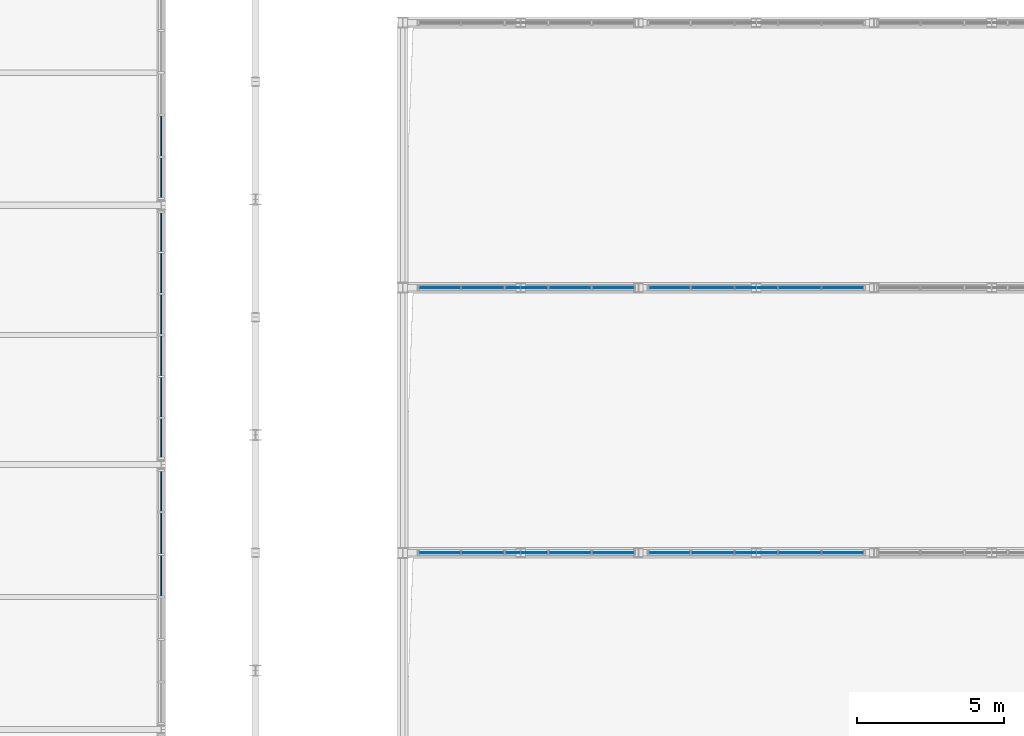
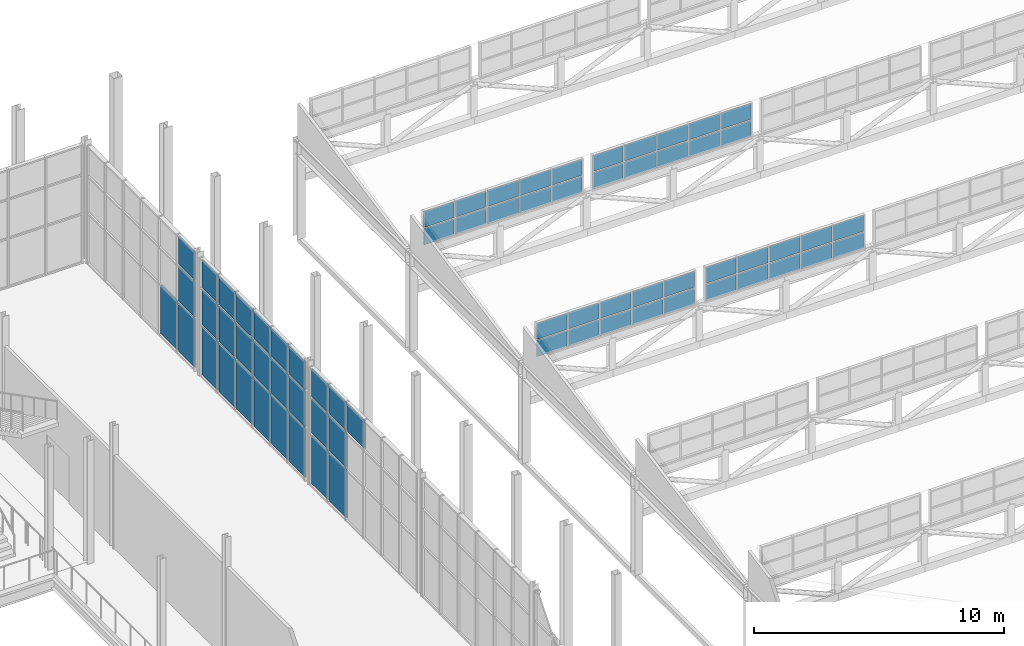
# One storey, part 115 of 159: 69 plates, 7 elements without a shape of their own.
"""IFC4 building model written with IfcOpenShell, lengths in metres."""

from ifc_helpers import new_model, si_unit, direction, frame, origin, origin_2d, place, context, subcontext, project, spatial, rectangle, extrude, material, layer, layer_set, type_object, element, aggregate, save


model = new_model("IFC4")

# Units and contexts
model_context = context("Model", 3, precision=1e-05, world=origin(), true_north=direction((0.0, 1.0)))
body_context = subcontext(model_context, "Body", "Model", "MODEL_VIEW")
ifc_project = project(units=[si_unit("LENGTHUNIT", "METRE"), si_unit("AREAUNIT", "SQUARE_METRE"), si_unit("VOLUMEUNIT", "CUBIC_METRE"), si_unit("PLANEANGLEUNIT", "RADIAN"), si_unit("MASSUNIT", "GRAM", prefix="KILO")], contexts=[model_context])

# Site, building, storey
site_placement = place(None, origin())
site = spatial("IfcSite", under=ifc_project, at=site_placement, CompositionType="ELEMENT")
building_placement = place(site_placement, origin())
building = spatial("IfcBuilding", under=site, at=building_placement, Name="Cazmaro Siding Exhibition Halls", CompositionType="ELEMENT")
storey_placement = place(building_placement, frame((0.0, 0.0, 6.0)))
storey = spatial("IfcBuildingStorey", under=building, at=storey_placement, Name="L01", CompositionType="ELEMENT", Elevation=6.0)

# Curtain wall, plates
ifc_material_1 = material(Name="Anodized Bronze Aluminum and Solar-Control Low-E Glazing", Category="aluminium")
ifc_layer_1 = layer(ifc_material_1, 0.219970703125)
ifc_layer_set_1 = layer_set([ifc_layer_1], Name="Anodized Bronze Aluminum and Solar-Control Low-E Glazing")
curtain_wall_type_1 = type_object("IfcCurtainWallType", Name="CWS-03", PredefinedType="USERDEFINED", material=ifc_layer_set_1)
curtain_wall_1_placement = place(storey_placement, origin())
curtain_wall_1 = element("IfcCurtainWall", 1, at=curtain_wall_1_placement, inside=storey, type_object=curtain_wall_type_1, Name="Glazed Curtain Wall CWS-03 CW-072", ObjectType="GLAZED CURTAIN WALL", PredefinedType="USERDEFINED")
ifc_material_2 = material(Name="Solar-Control Low-E Double Insulating Glass", Category="glass")
ifc_layer_2 = layer(ifc_material_2, 0.0458984375)
ifc_layer_set_2 = layer_set([ifc_layer_2], Name="Solar-Control Low-E Double Insulating Glass")
plate_type_1 = type_object("IfcPlateType", Name="CWP-03", PredefinedType="CURTAIN_PANEL", material=ifc_layer_set_2)
plate_1_placement = place(storey_placement, frame((167.800048828125, 99.220458984375, 4.3349609375), z_axis=(0.0, 0.0, 1.0), x_axis=(0.0, 1.0, 0.0)))
plate_1 = element("IfcPlate", 2, at=plate_1_placement, type_object=plate_type_1, Name="CWS-03 panel 4.3", PredefinedType="CURTAIN_PANEL", context=body_context, shape_type="SweptSolid", body=[
    extrude(rectangle(XDim=1.37109375, YDim=0.0458984375, at=origin_2d()), origin(), (0.0, 0.0, 1.0), 1.375),
])
plate_2_placement = place(storey_placement, frame((167.800048828125, 100.66162109375, 0.070068359375), z_axis=(0.0, 0.0, 1.0), x_axis=(0.0, 1.0, 0.0)))
plate_2 = element("IfcPlate", 3, at=plate_2_placement, type_object=plate_type_1, Name="CWS-03 panel 5.1", PredefinedType="CURTAIN_PANEL", context=body_context, shape_type="SweptSolid", body=[
    extrude(rectangle(XDim=1.37109375, YDim=0.0458984375, at=origin_2d()), origin(), (0.0, 0.0, 1.0), 2.39501953125),
])
plate_3_placement = place(storey_placement, frame((167.800048828125, 100.66162109375, 2.534912109375), z_axis=(0.0, 0.0, 1.0), x_axis=(0.0, 1.0, 0.0)))
plate_3 = element("IfcPlate", 4, at=plate_3_placement, type_object=plate_type_1, Name="CWS-03 panel 5.2", PredefinedType="CURTAIN_PANEL", context=body_context, shape_type="SweptSolid", body=[
    extrude(rectangle(XDim=1.37109375, YDim=0.0458984375, at=origin_2d()), origin(), (0.0, 0.0, 1.0), 1.72998046875),
])
plate_4_placement = place(storey_placement, frame((167.800048828125, 100.66162109375, 4.3349609375), z_axis=(0.0, 0.0, 1.0), x_axis=(0.0, 1.0, 0.0)))
plate_4 = element("IfcPlate", 5, at=plate_4_placement, type_object=plate_type_1, Name="CWS-03 panel 5.3", PredefinedType="CURTAIN_PANEL", context=body_context, shape_type="SweptSolid", body=[
    extrude(rectangle(XDim=1.37109375, YDim=0.0458984375, at=origin_2d()), origin(), (0.0, 0.0, 1.0), 1.375),
])
plate_5_placement = place(storey_placement, frame((167.800048828125, 102.0849609375, 0.070068359375), z_axis=(0.0, 0.0, 1.0), x_axis=(0.0, 1.0, 0.0)))
plate_5 = element("IfcPlate", 6, at=plate_5_placement, type_object=plate_type_1, Name="CWS-03 panel 6.1", PredefinedType="CURTAIN_PANEL", context=body_context, shape_type="SweptSolid", body=[
    extrude(rectangle(XDim=1.3359375, YDim=0.0458984375, at=origin_2d()), origin(), (0.0, 0.0, 1.0), 2.39501953125),
])
plate_6_placement = place(storey_placement, frame((167.800048828125, 102.0849609375, 2.534912109375), z_axis=(0.0, 0.0, 1.0), x_axis=(0.0, 1.0, 0.0)))
plate_6 = element("IfcPlate", 7, at=plate_6_placement, type_object=plate_type_1, Name="CWS-03 panel 6.2", PredefinedType="CURTAIN_PANEL", context=body_context, shape_type="SweptSolid", body=[
    extrude(rectangle(XDim=1.3359375, YDim=0.0458984375, at=origin_2d()), origin(), (0.0, 0.0, 1.0), 1.72998046875),
])
plate_7_placement = place(storey_placement, frame((167.800048828125, 102.0849609375, 4.3349609375), z_axis=(0.0, 0.0, 1.0), x_axis=(0.0, 1.0, 0.0)))
plate_7 = element("IfcPlate", 8, at=plate_7_placement, type_object=plate_type_1, Name="CWS-03 panel 6.3", PredefinedType="CURTAIN_PANEL", context=body_context, shape_type="SweptSolid", body=[
    extrude(rectangle(XDim=1.3359375, YDim=0.0458984375, at=origin_2d()), origin(), (0.0, 0.0, 1.0), 1.375),
])
aggregate(curtain_wall_1, [plate_1, plate_2, plate_3, plate_4, plate_5, plate_6, plate_7])

curtain_wall_2_placement = place(storey_placement, origin())
curtain_wall_2 = element("IfcCurtainWall", 9, at=curtain_wall_2_placement, inside=storey, type_object=curtain_wall_type_1, Name="Glazed Curtain Wall CWS-03 CW-075", ObjectType="GLAZED CURTAIN WALL", PredefinedType="USERDEFINED")
plate_8_placement = place(storey_placement, frame((167.800048828125, 103.896484375, 0.070068359375), z_axis=(0.0, 0.0, 1.0), x_axis=(0.0, 1.0, 0.0)))
plate_8 = element("IfcPlate", 10, at=plate_8_placement, type_object=plate_type_1, Name="CWS-03 panel 1.1", PredefinedType="CURTAIN_PANEL", context=body_context, shape_type="SweptSolid", body=[
    extrude(rectangle(XDim=1.299072265625, YDim=0.0458984375, at=origin_2d()), origin(), (0.0, 0.0, 1.0), 2.39501953125),
])
plate_9_placement = place(storey_placement, frame((167.800048828125, 103.896484375, 2.534912109375), z_axis=(0.0, 0.0, 1.0), x_axis=(0.0, 1.0, 0.0)))
plate_9 = element("IfcPlate", 11, at=plate_9_placement, type_object=plate_type_1, Name="CWS-03 panel 1.2", PredefinedType="CURTAIN_PANEL", context=body_context, shape_type="SweptSolid", body=[
    extrude(rectangle(XDim=1.299072265625, YDim=0.0458984375, at=origin_2d()), origin(), (0.0, 0.0, 1.0), 1.72998046875),
])
plate_10_placement = place(storey_placement, frame((167.800048828125, 103.896484375, 4.3349609375), z_axis=(0.0, 0.0, 1.0), x_axis=(0.0, 1.0, 0.0)))
plate_10 = element("IfcPlate", 12, at=plate_10_placement, type_object=plate_type_1, Name="CWS-03 panel 1.3", PredefinedType="CURTAIN_PANEL", context=body_context, shape_type="SweptSolid", body=[
    extrude(rectangle(XDim=1.299072265625, YDim=0.0458984375, at=origin_2d()), origin(), (0.0, 0.0, 1.0), 1.375),
])
plate_11_placement = place(storey_placement, frame((167.800048828125, 105.283203125, 0.070068359375), z_axis=(0.0, 0.0, 1.0), x_axis=(0.0, 1.0, 0.0)))
plate_11 = element("IfcPlate", 13, at=plate_11_placement, type_object=plate_type_1, Name="CWS-03 panel 2.1", PredefinedType="CURTAIN_PANEL", context=body_context, shape_type="SweptSolid", body=[
    extrude(rectangle(XDim=1.334228515625, YDim=0.0458984375, at=origin_2d()), origin(), (0.0, 0.0, 1.0), 2.39501953125),
])
plate_12_placement = place(storey_placement, frame((167.800048828125, 105.283203125, 2.534912109375), z_axis=(0.0, 0.0, 1.0), x_axis=(0.0, 1.0, 0.0)))
plate_12 = element("IfcPlate", 14, at=plate_12_placement, type_object=plate_type_1, Name="CWS-03 panel 2.2", PredefinedType="CURTAIN_PANEL", context=body_context, shape_type="SweptSolid", body=[
    extrude(rectangle(XDim=1.334228515625, YDim=0.0458984375, at=origin_2d()), origin(), (0.0, 0.0, 1.0), 1.72998046875),
])
plate_13_placement = place(storey_placement, frame((167.800048828125, 105.283203125, 4.3349609375), z_axis=(0.0, 0.0, 1.0), x_axis=(0.0, 1.0, 0.0)))
plate_13 = element("IfcPlate", 15, at=plate_13_placement, type_object=plate_type_1, Name="CWS-03 panel 2.3", PredefinedType="CURTAIN_PANEL", context=body_context, shape_type="SweptSolid", body=[
    extrude(rectangle(XDim=1.334228515625, YDim=0.0458984375, at=origin_2d()), origin(), (0.0, 0.0, 1.0), 1.375),
])
plate_14_placement = place(storey_placement, frame((167.800048828125, 106.6875, 0.070068359375), z_axis=(0.0, 0.0, 1.0), x_axis=(0.0, 1.0, 0.0)))
plate_14 = element("IfcPlate", 16, at=plate_14_placement, type_object=plate_type_1, Name="CWS-03 panel 3.1", PredefinedType="CURTAIN_PANEL", context=body_context, shape_type="SweptSolid", body=[
    extrude(rectangle(XDim=1.334228515625, YDim=0.0458984375, at=origin_2d()), origin(), (0.0, 0.0, 1.0), 2.39501953125),
])
plate_15_placement = place(storey_placement, frame((167.800048828125, 106.6875, 2.534912109375), z_axis=(0.0, 0.0, 1.0), x_axis=(0.0, 1.0, 0.0)))
plate_15 = element("IfcPlate", 17, at=plate_15_placement, type_object=plate_type_1, Name="CWS-03 panel 3.2", PredefinedType="CURTAIN_PANEL", context=body_context, shape_type="SweptSolid", body=[
    extrude(rectangle(XDim=1.334228515625, YDim=0.0458984375, at=origin_2d()), origin(), (0.0, 0.0, 1.0), 1.72998046875),
])
plate_16_placement = place(storey_placement, frame((167.800048828125, 106.6875, 4.3349609375), z_axis=(0.0, 0.0, 1.0), x_axis=(0.0, 1.0, 0.0)))
plate_16 = element("IfcPlate", 18, at=plate_16_placement, type_object=plate_type_1, Name="CWS-03 panel 3.3", PredefinedType="CURTAIN_PANEL", context=body_context, shape_type="SweptSolid", body=[
    extrude(rectangle(XDim=1.334228515625, YDim=0.0458984375, at=origin_2d()), origin(), (0.0, 0.0, 1.0), 1.375),
])
plate_17_placement = place(storey_placement, frame((167.800048828125, 108.091552734375, 0.070068359375), z_axis=(0.0, 0.0, 1.0), x_axis=(0.0, 1.0, 0.0)))
plate_17 = element("IfcPlate", 19, at=plate_17_placement, type_object=plate_type_1, Name="CWS-03 panel 4.1", PredefinedType="CURTAIN_PANEL", context=body_context, shape_type="SweptSolid", body=[
    extrude(rectangle(XDim=1.334228515625, YDim=0.0458984375, at=origin_2d()), origin(), (0.0, 0.0, 1.0), 2.39501953125),
])
plate_18_placement = place(storey_placement, frame((167.800048828125, 108.091552734375, 2.534912109375), z_axis=(0.0, 0.0, 1.0), x_axis=(0.0, 1.0, 0.0)))
plate_18 = element("IfcPlate", 20, at=plate_18_placement, type_object=plate_type_1, Name="CWS-03 panel 4.2", PredefinedType="CURTAIN_PANEL", context=body_context, shape_type="SweptSolid", body=[
    extrude(rectangle(XDim=1.334228515625, YDim=0.0458984375, at=origin_2d()), origin(), (0.0, 0.0, 1.0), 1.72998046875),
])
plate_19_placement = place(storey_placement, frame((167.800048828125, 108.091552734375, 4.3349609375), z_axis=(0.0, 0.0, 1.0), x_axis=(0.0, 1.0, 0.0)))
plate_19 = element("IfcPlate", 21, at=plate_19_placement, type_object=plate_type_1, Name="CWS-03 panel 4.3", PredefinedType="CURTAIN_PANEL", context=body_context, shape_type="SweptSolid", body=[
    extrude(rectangle(XDim=1.334228515625, YDim=0.0458984375, at=origin_2d()), origin(), (0.0, 0.0, 1.0), 1.375),
])
plate_20_placement = place(storey_placement, frame((167.800048828125, 109.495849609375, 0.070068359375), z_axis=(0.0, 0.0, 1.0), x_axis=(0.0, 1.0, 0.0)))
plate_20 = element("IfcPlate", 22, at=plate_20_placement, type_object=plate_type_1, Name="CWS-03 panel 5.1", PredefinedType="CURTAIN_PANEL", context=body_context, shape_type="SweptSolid", body=[
    extrude(rectangle(XDim=1.334228515625, YDim=0.0458984375, at=origin_2d()), origin(), (0.0, 0.0, 1.0), 2.39501953125),
])
plate_21_placement = place(storey_placement, frame((167.800048828125, 109.495849609375, 2.534912109375), z_axis=(0.0, 0.0, 1.0), x_axis=(0.0, 1.0, 0.0)))
plate_21 = element("IfcPlate", 23, at=plate_21_placement, type_object=plate_type_1, Name="CWS-03 panel 5.2", PredefinedType="CURTAIN_PANEL", context=body_context, shape_type="SweptSolid", body=[
    extrude(rectangle(XDim=1.334228515625, YDim=0.0458984375, at=origin_2d()), origin(), (0.0, 0.0, 1.0), 1.72998046875),
])
plate_22_placement = place(storey_placement, frame((167.800048828125, 109.495849609375, 4.3349609375), z_axis=(0.0, 0.0, 1.0), x_axis=(0.0, 1.0, 0.0)))
plate_22 = element("IfcPlate", 24, at=plate_22_placement, type_object=plate_type_1, Name="CWS-03 panel 5.3", PredefinedType="CURTAIN_PANEL", context=body_context, shape_type="SweptSolid", body=[
    extrude(rectangle(XDim=1.334228515625, YDim=0.0458984375, at=origin_2d()), origin(), (0.0, 0.0, 1.0), 1.375),
])
plate_23_placement = place(storey_placement, frame((167.800048828125, 110.88232421875, 0.070068359375), z_axis=(0.0, 0.0, 1.0), x_axis=(0.0, 1.0, 0.0)))
plate_23 = element("IfcPlate", 25, at=plate_23_placement, type_object=plate_type_1, Name="CWS-03 panel 6.1", PredefinedType="CURTAIN_PANEL", context=body_context, shape_type="SweptSolid", body=[
    extrude(rectangle(XDim=1.299072265625, YDim=0.0458984375, at=origin_2d()), origin(), (0.0, 0.0, 1.0), 2.39501953125),
])
plate_24_placement = place(storey_placement, frame((167.800048828125, 110.88232421875, 2.534912109375), z_axis=(0.0, 0.0, 1.0), x_axis=(0.0, 1.0, 0.0)))
plate_24 = element("IfcPlate", 26, at=plate_24_placement, type_object=plate_type_1, Name="CWS-03 panel 6.2", PredefinedType="CURTAIN_PANEL", context=body_context, shape_type="SweptSolid", body=[
    extrude(rectangle(XDim=1.299072265625, YDim=0.0458984375, at=origin_2d()), origin(), (0.0, 0.0, 1.0), 1.72998046875),
])
plate_25_placement = place(storey_placement, frame((167.800048828125, 110.88232421875, 4.3349609375), z_axis=(0.0, 0.0, 1.0), x_axis=(0.0, 1.0, 0.0)))
plate_25 = element("IfcPlate", 27, at=plate_25_placement, type_object=plate_type_1, Name="CWS-03 panel 6.3", PredefinedType="CURTAIN_PANEL", context=body_context, shape_type="SweptSolid", body=[
    extrude(rectangle(XDim=1.299072265625, YDim=0.0458984375, at=origin_2d()), origin(), (0.0, 0.0, 1.0), 1.375),
])
aggregate(curtain_wall_2, [plate_8, plate_9, plate_10, plate_11, plate_12, plate_13, plate_14, plate_15, plate_16, plate_17, plate_18, plate_19, plate_20, plate_21, plate_22, plate_23, plate_24, plate_25])

curtain_wall_3_placement = place(storey_placement, origin())
curtain_wall_3 = element("IfcCurtainWall", 28, at=curtain_wall_3_placement, inside=storey, type_object=curtain_wall_type_1, Name="Glazed Curtain Wall CWS-03 CW-078", ObjectType="GLAZED CURTAIN WALL", PredefinedType="USERDEFINED")
plate_26_placement = place(storey_placement, frame((167.800048828125, 112.732421875, 0.070068359375), z_axis=(0.0, 0.0, 1.0), x_axis=(0.0, 1.0, 0.0)))
plate_26 = element("IfcPlate", 29, at=plate_26_placement, type_object=plate_type_1, Name="CWS-03 panel 1.1", PredefinedType="CURTAIN_PANEL", context=body_context, shape_type="SweptSolid", body=[
    extrude(rectangle(XDim=1.3291015625, YDim=0.0458984375, at=origin_2d()), origin(), (0.0, 0.0, 1.0), 2.39501953125),
])
plate_27_placement = place(storey_placement, frame((167.800048828125, 112.732421875, 2.534912109375), z_axis=(0.0, 0.0, 1.0), x_axis=(0.0, 1.0, 0.0)))
plate_27 = element("IfcPlate", 30, at=plate_27_placement, type_object=plate_type_1, Name="CWS-03 panel 1.2", PredefinedType="CURTAIN_PANEL", context=body_context, shape_type="SweptSolid", body=[
    extrude(rectangle(XDim=1.3291015625, YDim=0.0458984375, at=origin_2d()), origin(), (0.0, 0.0, 1.0), 1.72998046875),
])
plate_28_placement = place(storey_placement, frame((167.800048828125, 112.732421875, 4.3349609375), z_axis=(0.0, 0.0, 1.0), x_axis=(0.0, 1.0, 0.0)))
plate_28 = element("IfcPlate", 31, at=plate_28_placement, type_object=plate_type_1, Name="CWS-03 panel 1.3", PredefinedType="CURTAIN_PANEL", context=body_context, shape_type="SweptSolid", body=[
    extrude(rectangle(XDim=1.3291015625, YDim=0.0458984375, at=origin_2d()), origin(), (0.0, 0.0, 1.0), 1.375),
])
plate_29_placement = place(storey_placement, frame((167.800048828125, 114.14892578125, 0.070068359375), z_axis=(0.0, 0.0, 1.0), x_axis=(0.0, 1.0, 0.0)))
plate_29 = element("IfcPlate", 32, at=plate_29_placement, type_object=plate_type_1, Name="CWS-03 panel 2.1", PredefinedType="CURTAIN_PANEL", context=body_context, shape_type="SweptSolid", body=[
    extrude(rectangle(XDim=1.364013671875, YDim=0.0458984375, at=origin_2d()), origin(), (0.0, 0.0, 1.0), 2.39501953125),
])
aggregate(curtain_wall_3, [plate_26, plate_27, plate_28, plate_29])

ifc_material_3 = material(Name="Anodized Bronze Aluminum and Solar-Control Low-E Glazing", Category="aluminium")
ifc_layer_3 = layer(ifc_material_3, 0.159912109375)
ifc_layer_set_3 = layer_set([ifc_layer_3], Name="Anodized Bronze Aluminum and Solar-Control Low-E Glazing")
curtain_wall_type_2 = type_object("IfcCurtainWallType", Name="CWS-04", PredefinedType="USERDEFINED", material=ifc_layer_set_3)
curtain_wall_4_placement = place(storey_placement, origin())
curtain_wall_4 = element("IfcCurtainWall", 33, at=curtain_wall_4_placement, inside=storey, type_object=curtain_wall_type_2, Name="Clerestory Curtain Wall CWS-04 CW-125", ObjectType="CLERESTORY CURTAIN WALL", PredefinedType="USERDEFINED")
ifc_material_4 = material(Name="Solar-Control Low-E Double Insulating Glass", Category="glass")
ifc_layer_4 = layer(ifc_material_4, 0.028076171875)
ifc_layer_set_4 = layer_set([ifc_layer_4], Name="Solar-Control Low-E Double Insulating Glass")
plate_type_2 = type_object("IfcPlateType", Name="CWP-04", PredefinedType="CURTAIN_PANEL", material=ifc_layer_set_4)
plate_30_placement = place(storey_placement, frame((183.14501953125, 100.0, 4.85986328125), z_axis=(0.0, 0.0, 1.0), x_axis=(-1.0, 0.0, 0.0)))
plate_30 = element("IfcPlate", 34, at=plate_30_placement, type_object=plate_type_2, Name="CWS-04 panel 1.1", PredefinedType="CURTAIN_PANEL", context=body_context, shape_type="SweptSolid", body=[
    extrude(rectangle(XDim=1.389892578125, YDim=0.028076171875, at=origin_2d()), origin(), (0.0, 0.0, 1.0), 0.7900390625),
])
plate_31_placement = place(storey_placement, frame((183.14501953125, 100.0, 5.7099609375), z_axis=(0.0, 0.0, 1.0), x_axis=(-1.0, 0.0, 0.0)))
plate_31 = element("IfcPlate", 35, at=plate_31_placement, type_object=plate_type_2, Name="CWS-04 panel 1.2", PredefinedType="CURTAIN_PANEL", context=body_context, shape_type="SweptSolid", body=[
    extrude(rectangle(XDim=1.389892578125, YDim=0.028076171875, at=origin_2d()), origin(), (0.0, 0.0, 1.0), 0.780029296875),
])
plate_32_placement = place(storey_placement, frame((181.679931640625, 100.0, 4.85986328125), z_axis=(0.0, 0.0, 1.0), x_axis=(-1.0, 0.0, 0.0)))
plate_32 = element("IfcPlate", 36, at=plate_32_placement, type_object=plate_type_2, Name="CWS-04 panel 2.1", PredefinedType="CURTAIN_PANEL", context=body_context, shape_type="SweptSolid", body=[
    extrude(rectangle(XDim=1.419921875, YDim=0.028076171875, at=origin_2d()), origin(), (0.0, 0.0, 1.0), 0.7900390625),
])
plate_33_placement = place(storey_placement, frame((181.679931640625, 100.0, 5.7099609375), z_axis=(0.0, 0.0, 1.0), x_axis=(-1.0, 0.0, 0.0)))
plate_33 = element("IfcPlate", 37, at=plate_33_placement, type_object=plate_type_2, Name="CWS-04 panel 2.2", PredefinedType="CURTAIN_PANEL", context=body_context, shape_type="SweptSolid", body=[
    extrude(rectangle(XDim=1.419921875, YDim=0.028076171875, at=origin_2d()), origin(), (0.0, 0.0, 1.0), 0.780029296875),
])
plate_34_placement = place(storey_placement, frame((180.199951171875, 100.0, 4.85986328125), z_axis=(0.0, 0.0, 1.0), x_axis=(-1.0, 0.0, 0.0)))
plate_34 = element("IfcPlate", 38, at=plate_34_placement, type_object=plate_type_2, Name="CWS-04 panel 3.1", PredefinedType="CURTAIN_PANEL", context=body_context, shape_type="SweptSolid", body=[
    extrude(rectangle(XDim=1.419921875, YDim=0.028076171875, at=origin_2d()), origin(), (0.0, 0.0, 1.0), 0.7900390625),
])
plate_35_placement = place(storey_placement, frame((180.199951171875, 100.0, 5.7099609375), z_axis=(0.0, 0.0, 1.0), x_axis=(-1.0, 0.0, 0.0)))
plate_35 = element("IfcPlate", 39, at=plate_35_placement, type_object=plate_type_2, Name="CWS-04 panel 3.2", PredefinedType="CURTAIN_PANEL", context=body_context, shape_type="SweptSolid", body=[
    extrude(rectangle(XDim=1.419921875, YDim=0.028076171875, at=origin_2d()), origin(), (0.0, 0.0, 1.0), 0.780029296875),
])
plate_36_placement = place(storey_placement, frame((178.719970703125, 100.0, 4.85986328125), z_axis=(0.0, 0.0, 1.0), x_axis=(-1.0, 0.0, 0.0)))
plate_36 = element("IfcPlate", 40, at=plate_36_placement, type_object=plate_type_2, Name="CWS-04 panel 4.1", PredefinedType="CURTAIN_PANEL", context=body_context, shape_type="SweptSolid", body=[
    extrude(rectangle(XDim=1.419921875, YDim=0.028076171875, at=origin_2d()), origin(), (0.0, 0.0, 1.0), 0.7900390625),
])
plate_37_placement = place(storey_placement, frame((178.719970703125, 100.0, 5.7099609375), z_axis=(0.0, 0.0, 1.0), x_axis=(-1.0, 0.0, 0.0)))
plate_37 = element("IfcPlate", 41, at=plate_37_placement, type_object=plate_type_2, Name="CWS-04 panel 4.2", PredefinedType="CURTAIN_PANEL", context=body_context, shape_type="SweptSolid", body=[
    extrude(rectangle(XDim=1.419921875, YDim=0.028076171875, at=origin_2d()), origin(), (0.0, 0.0, 1.0), 0.780029296875),
])
plate_38_placement = place(storey_placement, frame((177.2548828125, 100.0, 4.85986328125), z_axis=(0.0, 0.0, 1.0), x_axis=(-1.0, 0.0, 0.0)))
plate_38 = element("IfcPlate", 42, at=plate_38_placement, type_object=plate_type_2, Name="CWS-04 panel 5.1", PredefinedType="CURTAIN_PANEL", context=body_context, shape_type="SweptSolid", body=[
    extrude(rectangle(XDim=1.389892578125, YDim=0.028076171875, at=origin_2d()), origin(), (0.0, 0.0, 1.0), 0.7900390625),
])
plate_39_placement = place(storey_placement, frame((177.2548828125, 100.0, 5.7099609375), z_axis=(0.0, 0.0, 1.0), x_axis=(-1.0, 0.0, 0.0)))
plate_39 = element("IfcPlate", 43, at=plate_39_placement, type_object=plate_type_2, Name="CWS-04 panel 5.2", PredefinedType="CURTAIN_PANEL", context=body_context, shape_type="SweptSolid", body=[
    extrude(rectangle(XDim=1.389892578125, YDim=0.028076171875, at=origin_2d()), origin(), (0.0, 0.0, 1.0), 0.780029296875),
])
aggregate(curtain_wall_4, [plate_30, plate_31, plate_32, plate_33, plate_34, plate_35, plate_36, plate_37, plate_38, plate_39])

curtain_wall_5_placement = place(storey_placement, origin())
curtain_wall_5 = element("IfcCurtainWall", 44, at=curtain_wall_5_placement, inside=storey, type_object=curtain_wall_type_2, Name="Clerestory Curtain Wall CWS-04 CW-126", ObjectType="CLERESTORY CURTAIN WALL", PredefinedType="USERDEFINED")
plate_40_placement = place(storey_placement, frame((190.945068359375, 100.0, 4.85986328125), z_axis=(0.0, 0.0, 1.0), x_axis=(-1.0, 0.0, 0.0)))
plate_40 = element("IfcPlate", 45, at=plate_40_placement, type_object=plate_type_2, Name="CWS-04 panel 1.1", PredefinedType="CURTAIN_PANEL", context=body_context, shape_type="SweptSolid", body=[
    extrude(rectangle(XDim=1.389892578125, YDim=0.028076171875, at=origin_2d()), origin(), (0.0, 0.0, 1.0), 0.7900390625),
])
plate_41_placement = place(storey_placement, frame((190.945068359375, 100.0, 5.7099609375), z_axis=(0.0, 0.0, 1.0), x_axis=(-1.0, 0.0, 0.0)))
plate_41 = element("IfcPlate", 46, at=plate_41_placement, type_object=plate_type_2, Name="CWS-04 panel 1.2", PredefinedType="CURTAIN_PANEL", context=body_context, shape_type="SweptSolid", body=[
    extrude(rectangle(XDim=1.389892578125, YDim=0.028076171875, at=origin_2d()), origin(), (0.0, 0.0, 1.0), 0.780029296875),
])
plate_42_placement = place(storey_placement, frame((189.47998046875, 100.0, 4.85986328125), z_axis=(0.0, 0.0, 1.0), x_axis=(-1.0, 0.0, 0.0)))
plate_42 = element("IfcPlate", 47, at=plate_42_placement, type_object=plate_type_2, Name="CWS-04 panel 2.1", PredefinedType="CURTAIN_PANEL", context=body_context, shape_type="SweptSolid", body=[
    extrude(rectangle(XDim=1.419921875, YDim=0.028076171875, at=origin_2d()), origin(), (0.0, 0.0, 1.0), 0.7900390625),
])
plate_43_placement = place(storey_placement, frame((189.47998046875, 100.0, 5.7099609375), z_axis=(0.0, 0.0, 1.0), x_axis=(-1.0, 0.0, 0.0)))
plate_43 = element("IfcPlate", 48, at=plate_43_placement, type_object=plate_type_2, Name="CWS-04 panel 2.2", PredefinedType="CURTAIN_PANEL", context=body_context, shape_type="SweptSolid", body=[
    extrude(rectangle(XDim=1.419921875, YDim=0.028076171875, at=origin_2d()), origin(), (0.0, 0.0, 1.0), 0.780029296875),
])
plate_44_placement = place(storey_placement, frame((188.0, 100.0, 4.85986328125), z_axis=(0.0, 0.0, 1.0), x_axis=(-1.0, 0.0, 0.0)))
plate_44 = element("IfcPlate", 49, at=plate_44_placement, type_object=plate_type_2, Name="CWS-04 panel 3.1", PredefinedType="CURTAIN_PANEL", context=body_context, shape_type="SweptSolid", body=[
    extrude(rectangle(XDim=1.419921875, YDim=0.028076171875, at=origin_2d()), origin(), (0.0, 0.0, 1.0), 0.7900390625),
])
plate_45_placement = place(storey_placement, frame((188.0, 100.0, 5.7099609375), z_axis=(0.0, 0.0, 1.0), x_axis=(-1.0, 0.0, 0.0)))
plate_45 = element("IfcPlate", 50, at=plate_45_placement, type_object=plate_type_2, Name="CWS-04 panel 3.2", PredefinedType="CURTAIN_PANEL", context=body_context, shape_type="SweptSolid", body=[
    extrude(rectangle(XDim=1.419921875, YDim=0.028076171875, at=origin_2d()), origin(), (0.0, 0.0, 1.0), 0.780029296875),
])
plate_46_placement = place(storey_placement, frame((186.52001953125, 100.0, 4.85986328125), z_axis=(0.0, 0.0, 1.0), x_axis=(-1.0, 0.0, 0.0)))
plate_46 = element("IfcPlate", 51, at=plate_46_placement, type_object=plate_type_2, Name="CWS-04 panel 4.1", PredefinedType="CURTAIN_PANEL", context=body_context, shape_type="SweptSolid", body=[
    extrude(rectangle(XDim=1.419921875, YDim=0.028076171875, at=origin_2d()), origin(), (0.0, 0.0, 1.0), 0.7900390625),
])
plate_47_placement = place(storey_placement, frame((186.52001953125, 100.0, 5.7099609375), z_axis=(0.0, 0.0, 1.0), x_axis=(-1.0, 0.0, 0.0)))
plate_47 = element("IfcPlate", 52, at=plate_47_placement, type_object=plate_type_2, Name="CWS-04 panel 4.2", PredefinedType="CURTAIN_PANEL", context=body_context, shape_type="SweptSolid", body=[
    extrude(rectangle(XDim=1.419921875, YDim=0.028076171875, at=origin_2d()), origin(), (0.0, 0.0, 1.0), 0.780029296875),
])
plate_48_placement = place(storey_placement, frame((185.054931640625, 100.0, 4.85986328125), z_axis=(0.0, 0.0, 1.0), x_axis=(-1.0, 0.0, 0.0)))
plate_48 = element("IfcPlate", 53, at=plate_48_placement, type_object=plate_type_2, Name="CWS-04 panel 5.1", PredefinedType="CURTAIN_PANEL", context=body_context, shape_type="SweptSolid", body=[
    extrude(rectangle(XDim=1.389892578125, YDim=0.028076171875, at=origin_2d()), origin(), (0.0, 0.0, 1.0), 0.7900390625),
])
plate_49_placement = place(storey_placement, frame((185.054931640625, 100.0, 5.7099609375), z_axis=(0.0, 0.0, 1.0), x_axis=(-1.0, 0.0, 0.0)))
plate_49 = element("IfcPlate", 54, at=plate_49_placement, type_object=plate_type_2, Name="CWS-04 panel 5.2", PredefinedType="CURTAIN_PANEL", context=body_context, shape_type="SweptSolid", body=[
    extrude(rectangle(XDim=1.389892578125, YDim=0.028076171875, at=origin_2d()), origin(), (0.0, 0.0, 1.0), 0.780029296875),
])
aggregate(curtain_wall_5, [plate_40, plate_41, plate_42, plate_43, plate_44, plate_45, plate_46, plate_47, plate_48, plate_49])

curtain_wall_6_placement = place(storey_placement, origin())
curtain_wall_6 = element("IfcCurtainWall", 55, at=curtain_wall_6_placement, inside=storey, type_object=curtain_wall_type_2, Name="Clerestory Curtain Wall CWS-04 CW-130", ObjectType="CLERESTORY CURTAIN WALL", PredefinedType="USERDEFINED")
plate_50_placement = place(storey_placement, frame((183.14501953125, 109.0, 4.85986328125), z_axis=(0.0, 0.0, 1.0), x_axis=(-1.0, 0.0, 0.0)))
plate_50 = element("IfcPlate", 56, at=plate_50_placement, type_object=plate_type_2, Name="CWS-04 panel 1.1", PredefinedType="CURTAIN_PANEL", context=body_context, shape_type="SweptSolid", body=[
    extrude(rectangle(XDim=1.389892578125, YDim=0.028076171875, at=origin_2d()), origin(), (0.0, 0.0, 1.0), 0.7900390625),
])
plate_51_placement = place(storey_placement, frame((183.14501953125, 109.0, 5.7099609375), z_axis=(0.0, 0.0, 1.0), x_axis=(-1.0, 0.0, 0.0)))
plate_51 = element("IfcPlate", 57, at=plate_51_placement, type_object=plate_type_2, Name="CWS-04 panel 1.2", PredefinedType="CURTAIN_PANEL", context=body_context, shape_type="SweptSolid", body=[
    extrude(rectangle(XDim=1.389892578125, YDim=0.028076171875, at=origin_2d()), origin(), (0.0, 0.0, 1.0), 0.780029296875),
])
plate_52_placement = place(storey_placement, frame((181.679931640625, 109.0, 4.85986328125), z_axis=(0.0, 0.0, 1.0), x_axis=(-1.0, 0.0, 0.0)))
plate_52 = element("IfcPlate", 58, at=plate_52_placement, type_object=plate_type_2, Name="CWS-04 panel 2.1", PredefinedType="CURTAIN_PANEL", context=body_context, shape_type="SweptSolid", body=[
    extrude(rectangle(XDim=1.419921875, YDim=0.028076171875, at=origin_2d()), origin(), (0.0, 0.0, 1.0), 0.7900390625),
])
plate_53_placement = place(storey_placement, frame((181.679931640625, 109.0, 5.7099609375), z_axis=(0.0, 0.0, 1.0), x_axis=(-1.0, 0.0, 0.0)))
plate_53 = element("IfcPlate", 59, at=plate_53_placement, type_object=plate_type_2, Name="CWS-04 panel 2.2", PredefinedType="CURTAIN_PANEL", context=body_context, shape_type="SweptSolid", body=[
    extrude(rectangle(XDim=1.419921875, YDim=0.028076171875, at=origin_2d()), origin(), (0.0, 0.0, 1.0), 0.780029296875),
])
plate_54_placement = place(storey_placement, frame((180.199951171875, 109.0, 4.85986328125), z_axis=(0.0, 0.0, 1.0), x_axis=(-1.0, 0.0, 0.0)))
plate_54 = element("IfcPlate", 60, at=plate_54_placement, type_object=plate_type_2, Name="CWS-04 panel 3.1", PredefinedType="CURTAIN_PANEL", context=body_context, shape_type="SweptSolid", body=[
    extrude(rectangle(XDim=1.419921875, YDim=0.028076171875, at=origin_2d()), origin(), (0.0, 0.0, 1.0), 0.7900390625),
])
plate_55_placement = place(storey_placement, frame((180.199951171875, 109.0, 5.7099609375), z_axis=(0.0, 0.0, 1.0), x_axis=(-1.0, 0.0, 0.0)))
plate_55 = element("IfcPlate", 61, at=plate_55_placement, type_object=plate_type_2, Name="CWS-04 panel 3.2", PredefinedType="CURTAIN_PANEL", context=body_context, shape_type="SweptSolid", body=[
    extrude(rectangle(XDim=1.419921875, YDim=0.028076171875, at=origin_2d()), origin(), (0.0, 0.0, 1.0), 0.780029296875),
])
plate_56_placement = place(storey_placement, frame((178.719970703125, 109.0, 4.85986328125), z_axis=(0.0, 0.0, 1.0), x_axis=(-1.0, 0.0, 0.0)))
plate_56 = element("IfcPlate", 62, at=plate_56_placement, type_object=plate_type_2, Name="CWS-04 panel 4.1", PredefinedType="CURTAIN_PANEL", context=body_context, shape_type="SweptSolid", body=[
    extrude(rectangle(XDim=1.419921875, YDim=0.028076171875, at=origin_2d()), origin(), (0.0, 0.0, 1.0), 0.7900390625),
])
plate_57_placement = place(storey_placement, frame((178.719970703125, 109.0, 5.7099609375), z_axis=(0.0, 0.0, 1.0), x_axis=(-1.0, 0.0, 0.0)))
plate_57 = element("IfcPlate", 63, at=plate_57_placement, type_object=plate_type_2, Name="CWS-04 panel 4.2", PredefinedType="CURTAIN_PANEL", context=body_context, shape_type="SweptSolid", body=[
    extrude(rectangle(XDim=1.419921875, YDim=0.028076171875, at=origin_2d()), origin(), (0.0, 0.0, 1.0), 0.780029296875),
])
plate_58_placement = place(storey_placement, frame((177.2548828125, 109.0, 4.85986328125), z_axis=(0.0, 0.0, 1.0), x_axis=(-1.0, 0.0, 0.0)))
plate_58 = element("IfcPlate", 64, at=plate_58_placement, type_object=plate_type_2, Name="CWS-04 panel 5.1", PredefinedType="CURTAIN_PANEL", context=body_context, shape_type="SweptSolid", body=[
    extrude(rectangle(XDim=1.389892578125, YDim=0.028076171875, at=origin_2d()), origin(), (0.0, 0.0, 1.0), 0.7900390625),
])
plate_59_placement = place(storey_placement, frame((177.2548828125, 109.0, 5.7099609375), z_axis=(0.0, 0.0, 1.0), x_axis=(-1.0, 0.0, 0.0)))
plate_59 = element("IfcPlate", 65, at=plate_59_placement, type_object=plate_type_2, Name="CWS-04 panel 5.2", PredefinedType="CURTAIN_PANEL", context=body_context, shape_type="SweptSolid", body=[
    extrude(rectangle(XDim=1.389892578125, YDim=0.028076171875, at=origin_2d()), origin(), (0.0, 0.0, 1.0), 0.780029296875),
])
aggregate(curtain_wall_6, [plate_50, plate_51, plate_52, plate_53, plate_54, plate_55, plate_56, plate_57, plate_58, plate_59])

curtain_wall_7_placement = place(storey_placement, origin())
curtain_wall_7 = element("IfcCurtainWall", 66, at=curtain_wall_7_placement, inside=storey, type_object=curtain_wall_type_2, Name="Clerestory Curtain Wall CWS-04 CW-131", ObjectType="CLERESTORY CURTAIN WALL", PredefinedType="USERDEFINED")
plate_60_placement = place(storey_placement, frame((190.945068359375, 109.0, 4.85986328125), z_axis=(0.0, 0.0, 1.0), x_axis=(-1.0, 0.0, 0.0)))
plate_60 = element("IfcPlate", 67, at=plate_60_placement, type_object=plate_type_2, Name="CWS-04 panel 1.1", PredefinedType="CURTAIN_PANEL", context=body_context, shape_type="SweptSolid", body=[
    extrude(rectangle(XDim=1.389892578125, YDim=0.028076171875, at=origin_2d()), origin(), (0.0, 0.0, 1.0), 0.7900390625),
])
plate_61_placement = place(storey_placement, frame((190.945068359375, 109.0, 5.7099609375), z_axis=(0.0, 0.0, 1.0), x_axis=(-1.0, 0.0, 0.0)))
plate_61 = element("IfcPlate", 68, at=plate_61_placement, type_object=plate_type_2, Name="CWS-04 panel 1.2", PredefinedType="CURTAIN_PANEL", context=body_context, shape_type="SweptSolid", body=[
    extrude(rectangle(XDim=1.389892578125, YDim=0.028076171875, at=origin_2d()), origin(), (0.0, 0.0, 1.0), 0.780029296875),
])
plate_62_placement = place(storey_placement, frame((189.47998046875, 109.0, 4.85986328125), z_axis=(0.0, 0.0, 1.0), x_axis=(-1.0, 0.0, 0.0)))
plate_62 = element("IfcPlate", 69, at=plate_62_placement, type_object=plate_type_2, Name="CWS-04 panel 2.1", PredefinedType="CURTAIN_PANEL", context=body_context, shape_type="SweptSolid", body=[
    extrude(rectangle(XDim=1.419921875, YDim=0.028076171875, at=origin_2d()), origin(), (0.0, 0.0, 1.0), 0.7900390625),
])
plate_63_placement = place(storey_placement, frame((189.47998046875, 109.0, 5.7099609375), z_axis=(0.0, 0.0, 1.0), x_axis=(-1.0, 0.0, 0.0)))
plate_63 = element("IfcPlate", 70, at=plate_63_placement, type_object=plate_type_2, Name="CWS-04 panel 2.2", PredefinedType="CURTAIN_PANEL", context=body_context, shape_type="SweptSolid", body=[
    extrude(rectangle(XDim=1.419921875, YDim=0.028076171875, at=origin_2d()), origin(), (0.0, 0.0, 1.0), 0.780029296875),
])
plate_64_placement = place(storey_placement, frame((188.0, 109.0, 4.85986328125), z_axis=(0.0, 0.0, 1.0), x_axis=(-1.0, 0.0, 0.0)))
plate_64 = element("IfcPlate", 71, at=plate_64_placement, type_object=plate_type_2, Name="CWS-04 panel 3.1", PredefinedType="CURTAIN_PANEL", context=body_context, shape_type="SweptSolid", body=[
    extrude(rectangle(XDim=1.419921875, YDim=0.028076171875, at=origin_2d()), origin(), (0.0, 0.0, 1.0), 0.7900390625),
])
plate_65_placement = place(storey_placement, frame((188.0, 109.0, 5.7099609375), z_axis=(0.0, 0.0, 1.0), x_axis=(-1.0, 0.0, 0.0)))
plate_65 = element("IfcPlate", 72, at=plate_65_placement, type_object=plate_type_2, Name="CWS-04 panel 3.2", PredefinedType="CURTAIN_PANEL", context=body_context, shape_type="SweptSolid", body=[
    extrude(rectangle(XDim=1.419921875, YDim=0.028076171875, at=origin_2d()), origin(), (0.0, 0.0, 1.0), 0.780029296875),
])
plate_66_placement = place(storey_placement, frame((186.52001953125, 109.0, 4.85986328125), z_axis=(0.0, 0.0, 1.0), x_axis=(-1.0, 0.0, 0.0)))
plate_66 = element("IfcPlate", 73, at=plate_66_placement, type_object=plate_type_2, Name="CWS-04 panel 4.1", PredefinedType="CURTAIN_PANEL", context=body_context, shape_type="SweptSolid", body=[
    extrude(rectangle(XDim=1.419921875, YDim=0.028076171875, at=origin_2d()), origin(), (0.0, 0.0, 1.0), 0.7900390625),
])
plate_67_placement = place(storey_placement, frame((186.52001953125, 109.0, 5.7099609375), z_axis=(0.0, 0.0, 1.0), x_axis=(-1.0, 0.0, 0.0)))
plate_67 = element("IfcPlate", 74, at=plate_67_placement, type_object=plate_type_2, Name="CWS-04 panel 4.2", PredefinedType="CURTAIN_PANEL", context=body_context, shape_type="SweptSolid", body=[
    extrude(rectangle(XDim=1.419921875, YDim=0.028076171875, at=origin_2d()), origin(), (0.0, 0.0, 1.0), 0.780029296875),
])
plate_68_placement = place(storey_placement, frame((185.054931640625, 109.0, 4.85986328125), z_axis=(0.0, 0.0, 1.0), x_axis=(-1.0, 0.0, 0.0)))
plate_68 = element("IfcPlate", 75, at=plate_68_placement, type_object=plate_type_2, Name="CWS-04 panel 5.1", PredefinedType="CURTAIN_PANEL", context=body_context, shape_type="SweptSolid", body=[
    extrude(rectangle(XDim=1.389892578125, YDim=0.028076171875, at=origin_2d()), origin(), (0.0, 0.0, 1.0), 0.7900390625),
])
plate_69_placement = place(storey_placement, frame((185.054931640625, 109.0, 5.7099609375), z_axis=(0.0, 0.0, 1.0), x_axis=(-1.0, 0.0, 0.0)))
plate_69 = element("IfcPlate", 76, at=plate_69_placement, type_object=plate_type_2, Name="CWS-04 panel 5.2", PredefinedType="CURTAIN_PANEL", context=body_context, shape_type="SweptSolid", body=[
    extrude(rectangle(XDim=1.389892578125, YDim=0.028076171875, at=origin_2d()), origin(), (0.0, 0.0, 1.0), 0.780029296875),
])
aggregate(curtain_wall_7, [plate_60, plate_61, plate_62, plate_63, plate_64, plate_65, plate_66, plate_67, plate_68, plate_69])

save(model, "model.ifc")
